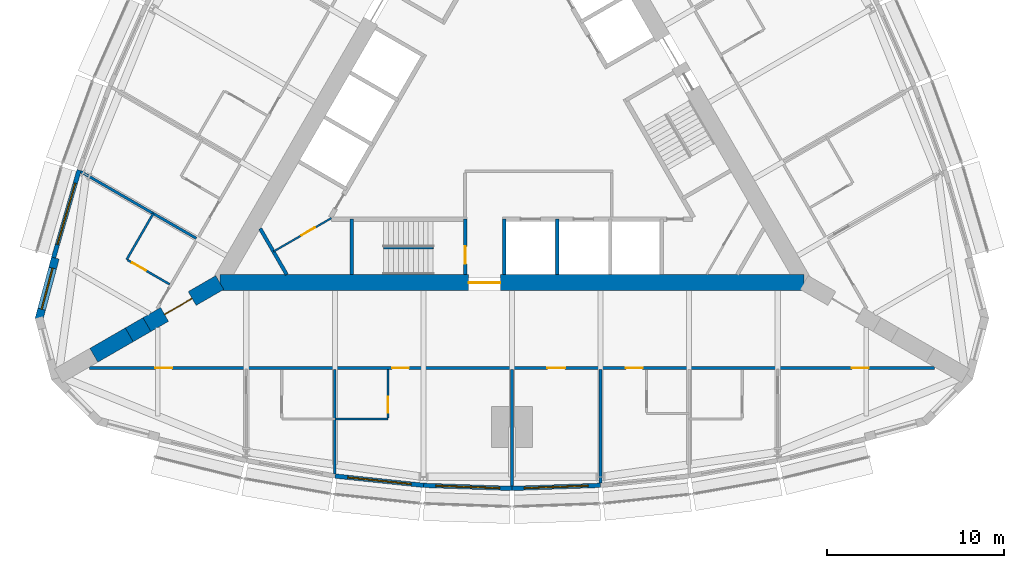
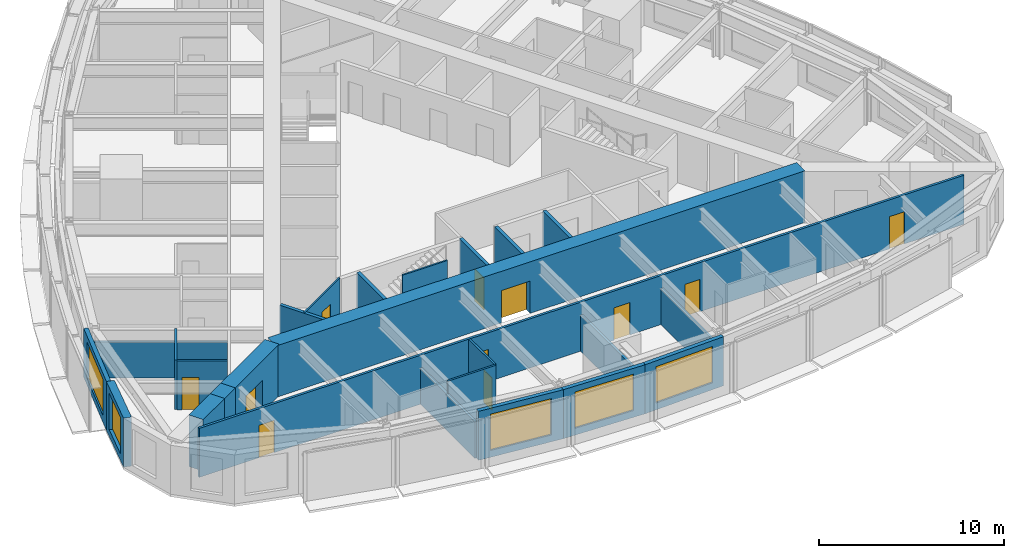
# One storey, part 8 of 14: 25 walls, 11 doors, 5 windows, 16 openings.
"""IFC4 building model written with IfcOpenShell, lengths in metres."""

from ifc_helpers import new_model, si_unit, direction, frame, frame_2d, origin, place, context, subcontext, project, spatial, rectangle, extrude, material, layer, layer_set, type_object, element, fill, save


model = new_model("IFC4")

# Units and contexts
model_context = context("Model", 3, precision=1e-05, world=origin(), true_north=direction((0.0, 1.0)))
body_context = subcontext(model_context, "Body", "Model", "MODEL_VIEW")
ifc_project = project(units=[si_unit("LENGTHUNIT", "METRE"), si_unit("AREAUNIT", "SQUARE_METRE"), si_unit("VOLUMEUNIT", "CUBIC_METRE"), si_unit("PLANEANGLEUNIT", "RADIAN"), si_unit("MASSUNIT", "GRAM", prefix="KILO")], contexts=[model_context])

# Site, building, storey
site_placement = place(None, origin())
site = spatial("IfcSite", under=ifc_project, at=site_placement, CompositionType="ELEMENT")
building_placement = place(site_placement, origin())
building = spatial("IfcBuilding", under=site, at=building_placement, Name="Trikona Tower", CompositionType="ELEMENT")
storey_placement = place(building_placement, frame((0.0, 0.0, 158.89990234375)))
storey = spatial("IfcBuildingStorey", under=building, at=storey_placement, Name="L42", CompositionType="ELEMENT", Elevation=158.89990234375)

# Wall
ifc_material_1 = material(Name="Metal stud and cement board", Category="gypsum")
ifc_layer_1 = layer(ifc_material_1, 0.1201171875)
ifc_layer_set_1 = layer_set([ifc_layer_1], Name="Bathroom wall 120")
wall_type_1 = type_object("IfcWallType", Name="Bathroom wall 120", PredefinedType="PLUMBINGWALL", material=ifc_layer_set_1)
wall_1_placement = place(storey_placement, frame((-10.0, -17.226318359375, 0.0), z_axis=(0.0, 0.0, 1.0), x_axis=(1.0, 0.0, 0.0)))
element("IfcWall", 1, at=wall_1_placement, inside=storey, type_object=wall_type_1, Name="Bathroom wall 4202", PredefinedType="PLUMBINGWALL", context=body_context, shape_type="SweptSolid", body=[
    extrude(rectangle(XDim=3.0, YDim=0.1201171875, at=frame_2d((1.5, 0.0))), origin(), (0.0, 0.0, 1.0), 3.235107421875),
])

# Wall, opening, door
wall_2_placement = place(storey_placement, frame((-7.0, -14.42626953125, 0.0), z_axis=(0.0, 0.0, 1.0), x_axis=(0.0, -1.0, 0.0)))
wall_2 = element("IfcWall", 2, at=wall_2_placement, inside=storey, type_object=wall_type_1, Name="Bathroom wall 4202", PredefinedType="PLUMBINGWALL", context=body_context, shape_type="SweptSolid", body=[
    extrude(rectangle(XDim=2.739990234375, YDim=0.1201171875, at=frame_2d((1.3701171875, 0.0))), origin(), (0.0, 0.0, 1.0), 3.235107421875),
])
opening_1_placement = place(wall_2_placement, frame((1.550048828125, 0.0, 0.0)))
opening_1 = element("IfcOpeningElement", 3, at=opening_1_placement, cuts=wall_2, Name="Opening D2", PredefinedType="OPENING", context=body_context, shape_type="SweptSolid", body=[
    extrude(rectangle(XDim=0.89990234375, YDim=2.1298828125, at=frame_2d((0.449951171875, 1.06494140625))), frame((0.0, 0.070068359375, 0.0), z_axis=(0.0, -1.0, 0.0), x_axis=(1.0, 0.0, 0.0)), (0.0, 0.0, 1.0), 0.14013671875),
])
ifc_material_2 = material(Name="Steel door frame with solid-core timber leaf", Category="steel")
door_type_1 = type_object("IfcDoorType", Name="Bathroom door 900x2130", OperationType="SLIDING_TO_LEFT", PredefinedType="DOOR", material=ifc_material_2)
door_1_placement = place(opening_1_placement, origin())
door_1 = element("IfcDoor", 4, at=door_1_placement, inside=storey, type_object=door_type_1, Name="Bathroom door 4202", OperationType="SLIDING_TO_LEFT", OverallHeight=2.1298828125, OverallWidth=0.89990234375, PredefinedType="DOOR", context=body_context, shape_type="SweptSolid", body=[
    extrude(rectangle(XDim=0.89990234375, YDim=2.1298828125, at=frame_2d((0.449951171875, 1.06494140625))), frame((0.0, 0.02490234375, 0.0), z_axis=(0.0, -1.0, 0.0), x_axis=(1.0, 0.0, 0.0)), (0.0, 0.0, 1.0), 0.050048828125),
])
fill(opening_1, door_1)

# Wall
wall_3_placement = place(storey_placement, frame((-20.25341796875, -5.627197265625, 0.0), z_axis=(0.0, 0.0, 1.0), x_axis=(-0.499990139034, -0.866031096941, 0.0)))
element("IfcWall", 5, at=wall_3_placement, inside=storey, type_object=wall_type_1, Name="Bathroom wall 4215", PredefinedType="PLUMBINGWALL", context=body_context, shape_type="SweptSolid", body=[
    extrude(rectangle(XDim=3.0, YDim=0.1201171875, at=frame_2d((1.5, 0.0))), origin(), (0.0, 0.0, 1.0), 3.235107421875),
])

# Wall, opening, door
wall_4_placement = place(storey_placement, frame((-19.32861328125, -9.625244140625, 0.0), z_axis=(0.0, 0.0, 1.0), x_axis=(-0.866035715982, 0.499982138324, 0.0)))
wall_4 = element("IfcWall", 6, at=wall_4_placement, inside=storey, type_object=wall_type_1, Name="Bathroom wall 4215", PredefinedType="PLUMBINGWALL", context=body_context, shape_type="SweptSolid", body=[
    extrude(rectangle(XDim=2.73974609375, YDim=0.1201171875, at=frame_2d((1.369873046875, 0.0))), origin(), (0.0, 0.0, 1.0), 3.235107421875),
])
opening_2_placement = place(wall_4_placement, frame((1.550048828125, 0.0, 0.0)))
opening_2 = element("IfcOpeningElement", 7, at=opening_2_placement, cuts=wall_4, Name="Opening D2", PredefinedType="OPENING", context=body_context, shape_type="SweptSolid", body=[
    extrude(rectangle(XDim=0.89990234375, YDim=2.1298828125, at=frame_2d((0.449951171875, 1.06494140625))), frame((0.0, 0.070068359375, 0.0), z_axis=(0.0, -1.0, 0.0), x_axis=(1.0, 0.0, 0.0)), (0.0, 0.0, 1.0), 0.14013671875),
])
door_2_placement = place(opening_2_placement, origin())
door_2 = element("IfcDoor", 8, at=door_2_placement, inside=storey, type_object=door_type_1, Name="Bathroom door 4215", OperationType="SLIDING_TO_LEFT", OverallHeight=2.1298828125, OverallWidth=0.89990234375, PredefinedType="DOOR", context=body_context, shape_type="SweptSolid", body=[
    extrude(rectangle(XDim=0.89990234375, YDim=2.1298828125, at=frame_2d((0.449951171875, 1.06494140625))), frame((0.0, 0.02490234375, 0.0), z_axis=(0.0, -1.0, 0.0), x_axis=(1.0, 0.0, 0.0)), (0.0, 0.0, 1.0), 0.050048828125),
])
fill(opening_2, door_2)

# Wall, opening, window
ifc_material_3 = material(Name="Brick-faced precast concrete", Category="masonry")
ifc_layer_2 = layer(ifc_material_3, 0.449951171875)
ifc_layer_set_2 = layer_set([ifc_layer_2], Name="Brick-faced corner wall 450")
wall_type_2 = type_object("IfcWallType", Name="Brick-faced corner wall 450", PredefinedType="SOLIDWALL", material=ifc_layer_set_2)
wall_5_placement = place(storey_placement, frame((-25.78271484375, -8.14111328125, 0.0), z_axis=(0.0, 0.0, 1.0), x_axis=(-0.258823421857, -0.965924653531, 0.0)))
wall_5 = element("IfcWall", 9, at=wall_5_placement, inside=storey, type_object=wall_type_2, Name="External wall L42-32", PredefinedType="SOLIDWALL", context=body_context, shape_type="SweptSolid", body=[
    extrude(rectangle(XDim=3.58642578125, YDim=0.449951171875, at=frame_2d((1.793212890625, 0.0))), origin(), (0.0, 0.0, 1.0), 3.235107421875),
])
opening_3_placement = place(wall_5_placement, frame((0.593017578125, 0.0, 0.449951171875)))
opening_3 = element("IfcOpeningElement", 10, at=opening_3_placement, cuts=wall_5, Name="Opening W2424", PredefinedType="OPENING", context=body_context, shape_type="SweptSolid", body=[
    extrude(rectangle(XDim=2.39990234375, YDim=2.39990234375, at=frame_2d((1.199951171875, 1.199951171875))), frame((0.0, 0.23486328125, 0.0), z_axis=(0.0, -1.0, 0.0), x_axis=(1.0, 0.0, 0.0)), (0.0, 0.0, 1.0), 0.469970703125),
])
ifc_material_4 = material(Name="Aluminium-framed double glazing", Category="aluminium")
window_type_1 = type_object("IfcWindowType", Name="Window 2400x2400", PartitioningType="SINGLE_PANEL", PredefinedType="WINDOW", material=ifc_material_4)
window_1_placement = place(opening_3_placement, origin())
window_1 = element("IfcWindow", 11, at=window_1_placement, inside=storey, type_object=window_type_1, Name="Window 4215", OverallHeight=2.39990234375, OverallWidth=2.39990234375, PartitioningType="SINGLE_PANEL", PredefinedType="WINDOW", context=body_context, shape_type="SweptSolid", body=[
    extrude(rectangle(XDim=2.39990234375, YDim=2.39990234375, at=frame_2d((1.199951171875, 1.199951171875))), frame((0.0, 0.030029296875, 0.0), z_axis=(0.0, -1.0, 0.0), x_axis=(1.0, 0.0, 0.0)), (0.0, 0.0, 1.0), 0.06005859375),
])
fill(opening_3, window_1)

# Wall, opening, door
ifc_material_5 = material(Name="Concrete f'c 10000 psi", Category="concrete")
ifc_layer_3 = layer(ifc_material_5, 0.89990234375)
ifc_layer_set_3 = layer_set([ifc_layer_3], Name="Buttress wall 900")
wall_type_3 = type_object("IfcWallType", Name="Buttress wall 900", PredefinedType="SHEAR", material=ifc_layer_set_3)
wall_6_placement = place(storey_placement, frame((-16.5, -9.5263671875, 0.0), z_axis=(0.0, 0.0, 1.0), x_axis=(-0.866031398331, -0.499989616998, 0.0)))
wall_6 = element("IfcWall", 12, at=wall_6_placement, inside=storey, type_object=wall_type_3, Name="Buttress wall 3", PredefinedType="SHEAR", context=body_context, shape_type="SweptSolid", body=[
    extrude(rectangle(XDim=4.74609375, YDim=0.89990234375, at=frame_2d((2.373046875, 0.0))), origin(), (0.0, 0.0, 1.0), 3.400146484375),
])
opening_4_placement = place(wall_6_placement, frame((1.800048828125, 0.0, 0.0)))
opening_4 = element("IfcOpeningElement", 13, at=opening_4_placement, cuts=wall_6, Name="Opening D10", PredefinedType="OPENING", context=body_context, shape_type="SweptSolid", body=[
    extrude(rectangle(XDim=1.800048828125, YDim=2.1298828125, at=frame_2d((0.89990234375, 1.06494140625))), frame((0.0, 0.4599609375, 0.0), z_axis=(0.0, -1.0, 0.0), x_axis=(1.0, 0.0, 0.0)), (0.0, 0.0, 1.0), 0.919921875),
])
ifc_material_6 = material(Name="Hollow metal door and frame", Category="steel")
door_type_2 = type_object("IfcDoorType", Name="Cross-corridor door pair 1800x2130", OperationType="DOUBLE_DOOR_DOUBLE_SWING", PredefinedType="DOOR", material=ifc_material_6)
door_3_placement = place(opening_4_placement, origin())
door_3 = element("IfcDoor", 14, at=door_3_placement, inside=storey, type_object=door_type_2, Name="Cross-corridor door 3", OperationType="DOUBLE_DOOR_DOUBLE_SWING", OverallHeight=2.1298828125, OverallWidth=1.800048828125, PredefinedType="DOOR", context=body_context, shape_type="SweptSolid", body=[
    extrude(rectangle(XDim=1.800048828125, YDim=2.1298828125, at=frame_2d((0.89990234375, 1.06494140625))), frame((0.0, 0.02490234375, 0.0), z_axis=(0.0, -1.0, 0.0), x_axis=(1.0, 0.0, 0.0)), (0.0, 0.0, 1.0), 0.050048828125),
])
fill(opening_4, door_3)

# Walls
wall_7_placement = place(storey_placement, frame((-20.6103515625, -11.8994140625, 0.0), z_axis=(0.0, 0.0, 1.0), x_axis=(-0.866009537788, -0.500027479704, 0.0)))
element("IfcWall", 15, at=wall_7_placement, inside=storey, type_object=wall_type_3, Name="Buttress wall 3 part 2", PredefinedType="SHEAR", context=body_context, shape_type="SweptSolid", body=[
    extrude(rectangle(XDim=1.15478515625, YDim=0.89990234375, at=frame_2d((0.577392578125, 0.0))), origin(), (0.0, 0.0, 1.0), 3.400146484375),
])
wall_8_placement = place(storey_placement, frame((-21.6103515625, -12.476806640625, 0.0), z_axis=(0.0, 0.0, 1.0), x_axis=(-0.866055313784, -0.499948190782, 0.0)))
element("IfcWall", 16, at=wall_8_placement, inside=storey, type_object=wall_type_3, Name="Buttress wall 3 part 3", PredefinedType="SHEAR", context=body_context, shape_type="SweptSolid", body=[
    extrude(rectangle(XDim=2.309326171875, YDim=0.89990234375, at=frame_2d((1.15478515625, 0.0))), origin(), (0.0, 0.0, 1.0), 3.400146484375),
])

# Wall, opening, door
ifc_material_7 = material(Name="Concrete f'c 10000 psi", Category="concrete")
ifc_layer_4 = layer(ifc_material_7, 0.89990234375)
ifc_layer_set_4 = layer_set([ifc_layer_4], Name="Core wall 900")
wall_type_4 = type_object("IfcWallType", Name="Core wall 900", PredefinedType="SHEAR", material=ifc_layer_set_4)
wall_9_placement = place(storey_placement, frame((-16.5, -9.5263671875, 0.0), z_axis=(0.0, 0.0, 1.0), x_axis=(1.0, 0.0, 0.0)))
wall_9 = element("IfcWall", 17, at=wall_9_placement, inside=storey, type_object=wall_type_4, Name="Core wall A", PredefinedType="SHEAR", context=body_context, shape_type="SweptSolid", body=[
    extrude(rectangle(XDim=33.0, YDim=0.89990234375, at=frame_2d((16.5, 0.0))), origin(), (0.0, 0.0, 1.0), 3.400146484375),
])
opening_5_placement = place(wall_9_placement, frame((14.050048828125, 0.0, 0.0)))
opening_5 = element("IfcOpeningElement", 18, at=opening_5_placement, cuts=wall_9, Name="Opening D6", PredefinedType="OPENING", context=body_context, shape_type="SweptSolid", body=[
    extrude(rectangle(XDim=1.800048828125, YDim=2.1298828125, at=frame_2d((0.89990234375, 1.06494140625))), frame((0.0, 0.4599609375, 0.0), z_axis=(0.0, -1.0, 0.0), x_axis=(1.0, 0.0, 0.0)), (0.0, 0.0, 1.0), 0.919921875),
])
ifc_material_8 = material(Name="Hollow metal door and frame", Category="steel")
door_type_3 = type_object("IfcDoorType", Name="Lobby door pair 1800x2130", OperationType="DOUBLE_DOOR_SINGLE_SWING", PredefinedType="DOOR", material=ifc_material_8)
door_4_placement = place(opening_5_placement, origin())
door_4 = element("IfcDoor", 19, at=door_4_placement, inside=storey, type_object=door_type_3, Name="Fire service lift lobby door", OperationType="DOUBLE_DOOR_SINGLE_SWING", OverallHeight=2.1298828125, OverallWidth=1.800048828125, PredefinedType="DOOR", context=body_context, shape_type="SweptSolid", body=[
    extrude(rectangle(XDim=1.800048828125, YDim=2.1298828125, at=frame_2d((0.89990234375, 1.06494140625))), frame((0.0, 0.02490234375, 0.0), z_axis=(0.0, -1.0, 0.0), x_axis=(1.0, 0.0, 0.0)), (0.0, 0.0, 1.0), 0.050048828125),
])
fill(opening_5, door_4)

# Wall, openings, doors
ifc_material_9 = material(Name="Metal stud and gypsum board, 1-hour", Category="gypsum")
ifc_layer_5 = layer(ifc_material_9, 0.14990234375)
ifc_layer_set_5 = layer_set([ifc_layer_5], Name="Corridor wall 150")
wall_type_5 = type_object("IfcWallType", Name="Corridor wall 150", PredefinedType="PARTITIONING", material=ifc_layer_set_5)
wall_10_placement = place(storey_placement, frame((-23.857177734375, -14.351318359375, 0.0), z_axis=(0.0, 0.0, 1.0), x_axis=(1.0, 0.0, 0.0)))
wall_10 = element("IfcWall", 20, at=wall_10_placement, inside=storey, type_object=wall_type_5, Name="Corridor wall L42-1", PredefinedType="PARTITIONING", context=body_context, shape_type="SweptSolid", body=[
    extrude(rectangle(XDim=47.71435546875, YDim=0.14990234375, at=frame_2d((23.857177734375, 0.0))), origin(), (0.0, 0.0, 1.0), 3.235107421875),
])
opening_6_placement = place(wall_10_placement, frame((3.723388671875, 0.0, 0.0)))
opening_6 = element("IfcOpeningElement", 21, at=opening_6_placement, cuts=wall_10, Name="Opening D1", PredefinedType="OPENING", context=body_context, shape_type="SweptSolid", body=[
    extrude(rectangle(XDim=0.949951171875, YDim=2.1298828125, at=frame_2d((0.47509765625, 1.06494140625))), frame((0.0, 0.0849609375, 0.0), z_axis=(0.0, -1.0, 0.0), x_axis=(1.0, 0.0, 0.0)), (0.0, 0.0, 1.0), 0.169921875),
])
opening_7_placement = place(wall_10_placement, frame((17.08203125, 0.0, 0.0)))
opening_7 = element("IfcOpeningElement", 22, at=opening_7_placement, cuts=wall_10, Name="Opening D1", PredefinedType="OPENING", context=body_context, shape_type="SweptSolid", body=[
    extrude(rectangle(XDim=0.949951171875, YDim=2.1298828125, at=frame_2d((0.47509765625, 1.06494140625))), frame((0.0, 0.0849609375, 0.0), z_axis=(0.0, -1.0, 0.0), x_axis=(1.0, 0.0, 0.0)), (0.0, 0.0, 1.0), 0.169921875),
])
opening_8_placement = place(wall_10_placement, frame((25.857177734375, 0.0, 0.0)))
opening_8 = element("IfcOpeningElement", 23, at=opening_8_placement, cuts=wall_10, Name="Opening D3", PredefinedType="OPENING", context=body_context, shape_type="SweptSolid", body=[
    extrude(rectangle(XDim=1.0, YDim=2.1298828125, at=frame_2d((0.5, 1.06494140625))), frame((0.0, 0.0849609375, 0.0), z_axis=(0.0, -1.0, 0.0), x_axis=(1.0, 0.0, 0.0)), (0.0, 0.0, 1.0), 0.169921875),
])
opening_9_placement = place(wall_10_placement, frame((30.281982421875, 0.0, 0.0)))
opening_9 = element("IfcOpeningElement", 24, at=opening_9_placement, cuts=wall_10, Name="Opening D1", PredefinedType="OPENING", context=body_context, shape_type="SweptSolid", body=[
    extrude(rectangle(XDim=0.949951171875, YDim=2.1298828125, at=frame_2d((0.47509765625, 1.06494140625))), frame((0.0, 0.0849609375, 0.0), z_axis=(0.0, -1.0, 0.0), x_axis=(1.0, 0.0, 0.0)), (0.0, 0.0, 1.0), 0.169921875),
])
opening_10_placement = place(wall_10_placement, frame((43.041015625, 0.0, 0.0)))
opening_10 = element("IfcOpeningElement", 25, at=opening_10_placement, cuts=wall_10, Name="Opening D1", PredefinedType="OPENING", context=body_context, shape_type="SweptSolid", body=[
    extrude(rectangle(XDim=0.949951171875, YDim=2.1298828125, at=frame_2d((0.47509765625, 1.06494140625))), frame((0.0, 0.0849609375, 0.0), z_axis=(0.0, -1.0, 0.0), x_axis=(1.0, 0.0, 0.0)), (0.0, 0.0, 1.0), 0.169921875),
])
ifc_material_10 = material(Name="Steel door frame with solid-core timber leaf", Category="steel")
door_type_4 = type_object("IfcDoorType", Name="Guest room door 950x2130", OperationType="SINGLE_SWING_LEFT", PredefinedType="DOOR", material=ifc_material_10)
door_5_placement = place(opening_6_placement, origin())
door_5 = element("IfcDoor", 26, at=door_5_placement, inside=storey, type_object=door_type_4, Name="Room door 4201", OperationType="SINGLE_SWING_LEFT", OverallHeight=2.1298828125, OverallWidth=0.949951171875, PredefinedType="DOOR", context=body_context, shape_type="SweptSolid", body=[
    extrude(rectangle(XDim=0.949951171875, YDim=2.1298828125, at=frame_2d((0.47509765625, 1.06494140625))), frame((0.0, 0.02490234375, 0.0), z_axis=(0.0, -1.0, 0.0), x_axis=(1.0, 0.0, 0.0)), (0.0, 0.0, 1.0), 0.050048828125),
])
fill(opening_6, door_5)
door_6_placement = place(opening_7_placement, origin())
door_6 = element("IfcDoor", 27, at=door_6_placement, inside=storey, type_object=door_type_4, Name="Room door 4202", OperationType="SINGLE_SWING_RIGHT", OverallHeight=2.1298828125, OverallWidth=0.949951171875, PredefinedType="DOOR", context=body_context, shape_type="SweptSolid", body=[
    extrude(rectangle(XDim=0.949951171875, YDim=2.1298828125, at=frame_2d((0.47509765625, 1.06494140625))), frame((0.0, 0.02490234375, 0.0), z_axis=(0.0, -1.0, 0.0), x_axis=(1.0, 0.0, 0.0)), (0.0, 0.0, 1.0), 0.050048828125),
])
fill(opening_7, door_6)
door_7_placement = place(opening_9_placement, origin())
door_7 = element("IfcDoor", 28, at=door_7_placement, inside=storey, type_object=door_type_4, Name="Room door 4203", OperationType="SINGLE_SWING_RIGHT", OverallHeight=2.1298828125, OverallWidth=0.949951171875, PredefinedType="DOOR", context=body_context, shape_type="SweptSolid", body=[
    extrude(rectangle(XDim=0.949951171875, YDim=2.1298828125, at=frame_2d((0.47509765625, 1.06494140625))), frame((0.0, 0.02490234375, 0.0), z_axis=(0.0, -1.0, 0.0), x_axis=(1.0, 0.0, 0.0)), (0.0, 0.0, 1.0), 0.050048828125),
])
fill(opening_9, door_7)
door_8_placement = place(opening_10_placement, origin())
door_8 = element("IfcDoor", 29, at=door_8_placement, inside=storey, type_object=door_type_4, Name="Room door 4204", OperationType="SINGLE_SWING_RIGHT", OverallHeight=2.1298828125, OverallWidth=0.949951171875, PredefinedType="DOOR", context=body_context, shape_type="SweptSolid", body=[
    extrude(rectangle(XDim=0.949951171875, YDim=2.1298828125, at=frame_2d((0.47509765625, 1.06494140625))), frame((0.0, 0.02490234375, 0.0), z_axis=(0.0, -1.0, 0.0), x_axis=(1.0, 0.0, 0.0)), (0.0, 0.0, 1.0), 0.050048828125),
])
fill(opening_10, door_8)
ifc_material_11 = material(Name="Steel door frame with solid-core timber leaf", Category="steel")
door_type_5 = type_object("IfcDoorType", Name="Room door 1000x2130", OperationType="SINGLE_SWING_LEFT", PredefinedType="DOOR", material=ifc_material_11)
door_9_placement = place(opening_8_placement, origin())
door_9 = element("IfcDoor", 30, at=door_9_placement, inside=storey, type_object=door_type_5, Name="Door Housekeeping pantry", OperationType="SINGLE_SWING_LEFT", OverallHeight=2.1298828125, OverallWidth=1.0, PredefinedType="DOOR", context=body_context, shape_type="SweptSolid", body=[
    extrude(rectangle(XDim=1.0, YDim=2.1298828125, at=frame_2d((0.5, 1.06494140625))), frame((0.0, 0.02490234375, 0.0), z_axis=(0.0, -1.0, 0.0), x_axis=(1.0, 0.0, 0.0)), (0.0, 0.0, 1.0), 0.050048828125),
])
fill(opening_8, door_9)

# Wall, opening, window
ifc_material_12 = material(Name="Insulated precast concrete spandrel panel", Category="concrete")
ifc_layer_6 = layer(ifc_material_12, 0.25)
ifc_layer_set_6 = layer_set([ifc_layer_6], Name="Inner skin wall 250")
wall_type_6 = type_object("IfcWallType", Name="Inner skin wall 250", PredefinedType="STANDARD", material=ifc_layer_set_6)
wall_11_placement = place(storey_placement, frame((-9.98681640625, -20.450927734375, 0.0), z_axis=(0.0, 0.0, 1.0), x_axis=(0.994534683851, -0.104406717299, 0.0)))
wall_11 = element("IfcWall", 31, at=wall_11_placement, inside=storey, type_object=wall_type_6, Name="External wall L42-02", PredefinedType="STANDARD", context=body_context, shape_type="SweptSolid", body=[
    extrude(rectangle(XDim=5.027587890625, YDim=0.25, at=frame_2d((2.513671875, 0.0))), origin(), (0.0, 0.0, 1.0), 3.235107421875),
])
opening_11_placement = place(wall_11_placement, frame((0.713623046875, 0.0, 0.449951171875)))
opening_11 = element("IfcOpeningElement", 32, at=opening_11_placement, cuts=wall_11, Name="Opening W3624", PredefinedType="OPENING", context=body_context, shape_type="SweptSolid", body=[
    extrude(rectangle(XDim=3.60009765625, YDim=2.39990234375, at=frame_2d((1.800048828125, 1.199951171875))), frame((0.0, 0.135009765625, 0.0), z_axis=(0.0, -1.0, 0.0), x_axis=(1.0, 0.0, 0.0)), (0.0, 0.0, 1.0), 0.27001953125),
])
ifc_material_13 = material(Name="Aluminium-framed double glazing", Category="aluminium")
window_type_2 = type_object("IfcWindowType", Name="Window 3600x2400", PartitioningType="SINGLE_PANEL", PredefinedType="WINDOW", material=ifc_material_13)
window_2_placement = place(opening_11_placement, origin())
window_2 = element("IfcWindow", 33, at=window_2_placement, inside=storey, type_object=window_type_2, Name="Window 4202", OverallHeight=2.39990234375, OverallWidth=3.60009765625, PartitioningType="SINGLE_PANEL", PredefinedType="WINDOW", context=body_context, shape_type="SweptSolid", body=[
    extrude(rectangle(XDim=3.60009765625, YDim=2.39990234375, at=frame_2d((1.800048828125, 1.199951171875))), frame((0.0, 0.030029296875, 0.0), z_axis=(0.0, -1.0, 0.0), x_axis=(1.0, 0.0, 0.0)), (0.0, 0.0, 1.0), 0.06005859375),
])
fill(opening_11, window_2)

wall_12_placement = place(storey_placement, frame((-4.99560546875, -20.975341796875, 0.0), z_axis=(0.0, 0.0, 1.0), x_axis=(0.999387720943, -0.034988329879, 0.0)))
wall_12 = element("IfcWall", 34, at=wall_12_placement, inside=storey, type_object=wall_type_6, Name="External wall L42-03", PredefinedType="STANDARD", context=body_context, shape_type="SweptSolid", body=[
    extrude(rectangle(XDim=5.003173828125, YDim=0.25, at=frame_2d((2.50146484375, 0.0))), origin(), (0.0, 0.0, 1.0), 3.235107421875),
])
opening_12_placement = place(wall_12_placement, frame((0.701416015625, 0.0, 0.449951171875)))
opening_12 = element("IfcOpeningElement", 35, at=opening_12_placement, cuts=wall_12, Name="Opening W3624", PredefinedType="OPENING", context=body_context, shape_type="SweptSolid", body=[
    extrude(rectangle(XDim=3.60009765625, YDim=2.39990234375, at=frame_2d((1.800048828125, 1.199951171875))), frame((0.0, 0.135009765625, 0.0), z_axis=(0.0, -1.0, 0.0), x_axis=(1.0, 0.0, 0.0)), (0.0, 0.0, 1.0), 0.27001953125),
])
window_3_placement = place(opening_12_placement, origin())
window_3 = element("IfcWindow", 36, at=window_3_placement, inside=storey, type_object=window_type_2, Name="Window 4202", OverallHeight=2.39990234375, OverallWidth=3.60009765625, PartitioningType="SINGLE_PANEL", PredefinedType="WINDOW", context=body_context, shape_type="SweptSolid", body=[
    extrude(rectangle(XDim=3.60009765625, YDim=2.39990234375, at=frame_2d((1.800048828125, 1.199951171875))), frame((0.0, 0.030029296875, 0.0), z_axis=(0.0, -1.0, 0.0), x_axis=(1.0, 0.0, 0.0)), (0.0, 0.0, 1.0), 0.06005859375),
])
fill(opening_12, window_3)

wall_13_placement = place(storey_placement, frame((-0.00439453125, -21.150390625, 0.0), z_axis=(0.0, 0.0, 1.0), x_axis=(0.999387720943, 0.034988329879, 0.0)))
wall_13 = element("IfcWall", 37, at=wall_13_placement, inside=storey, type_object=wall_type_6, Name="External wall L42-04", PredefinedType="STANDARD", context=body_context, shape_type="SweptSolid", body=[
    extrude(rectangle(XDim=5.003173828125, YDim=0.25, at=frame_2d((2.50146484375, 0.0))), origin(), (0.0, 0.0, 1.0), 3.235107421875),
])
opening_13_placement = place(wall_13_placement, frame((0.701416015625, 0.0, 0.449951171875)))
opening_13 = element("IfcOpeningElement", 38, at=opening_13_placement, cuts=wall_13, Name="Opening W3624", PredefinedType="OPENING", context=body_context, shape_type="SweptSolid", body=[
    extrude(rectangle(XDim=3.60009765625, YDim=2.39990234375, at=frame_2d((1.800048828125, 1.199951171875))), frame((0.0, 0.135009765625, 0.0), z_axis=(0.0, -1.0, 0.0), x_axis=(1.0, 0.0, 0.0)), (0.0, 0.0, 1.0), 0.27001953125),
])
window_4_placement = place(opening_13_placement, origin())
window_4 = element("IfcWindow", 39, at=window_4_placement, inside=storey, type_object=window_type_2, Name="Window L42-HKP", OverallHeight=2.39990234375, OverallWidth=3.60009765625, PartitioningType="SINGLE_PANEL", PredefinedType="WINDOW", context=body_context, shape_type="SweptSolid", body=[
    extrude(rectangle(XDim=3.60009765625, YDim=2.39990234375, at=frame_2d((1.800048828125, 1.199951171875))), frame((0.0, 0.030029296875, 0.0), z_axis=(0.0, -1.0, 0.0), x_axis=(1.0, 0.0, 0.0)), (0.0, 0.0, 1.0), 0.06005859375),
])
fill(opening_13, window_4)

wall_14_placement = place(storey_placement, frame((-24.44091796875, -3.17529296875, 0.0), z_axis=(0.0, 0.0, 1.0), x_axis=(-0.279528287117, -0.960137457191, 0.0)))
wall_14 = element("IfcWall", 40, at=wall_14_placement, inside=storey, type_object=wall_type_6, Name="External wall L42-31", PredefinedType="STANDARD", context=body_context, shape_type="SweptSolid", body=[
    extrude(rectangle(XDim=5.14794921875, YDim=0.25, at=frame_2d((2.573974609375, 0.0))), origin(), (0.0, 0.0, 1.0), 3.235107421875),
])
opening_14_placement = place(wall_14_placement, frame((0.77392578125, 0.0, 0.449951171875)))
opening_14 = element("IfcOpeningElement", 41, at=opening_14_placement, cuts=wall_14, Name="Opening W3624", PredefinedType="OPENING", context=body_context, shape_type="SweptSolid", body=[
    extrude(rectangle(XDim=3.60009765625, YDim=2.39990234375, at=frame_2d((1.800048828125, 1.199951171875))), frame((0.0, 0.135009765625, 0.0), z_axis=(0.0, -1.0, 0.0), x_axis=(1.0, 0.0, 0.0)), (0.0, 0.0, 1.0), 0.27001953125),
])
window_5_placement = place(opening_14_placement, origin())
window_5 = element("IfcWindow", 42, at=window_5_placement, inside=storey, type_object=window_type_2, Name="Window 4215", OverallHeight=2.39990234375, OverallWidth=3.60009765625, PartitioningType="SINGLE_PANEL", PredefinedType="WINDOW", context=body_context, shape_type="SweptSolid", body=[
    extrude(rectangle(XDim=3.60009765625, YDim=2.39990234375, at=frame_2d((1.800048828125, 1.199951171875))), frame((0.0, 0.030029296875, 0.0), z_axis=(0.0, -1.0, 0.0), x_axis=(1.0, 0.0, 0.0)), (0.0, 0.0, 1.0), 0.06005859375),
])
fill(opening_14, window_5)

# Walls
ifc_material_14 = material(Name="Metal stud and gypsum board, 1-hour acoustic", Category="gypsum")
ifc_layer_7 = layer(ifc_material_14, 0.14990234375)
ifc_layer_set_7 = layer_set([ifc_layer_7], Name="Party wall 150")
wall_type_7 = type_object("IfcWallType", Name="Party wall 150", PredefinedType="PARTITIONING", material=ifc_layer_set_7)
wall_15_placement = place(storey_placement, frame((-10.0, -14.42626953125, 0.0), z_axis=(0.0, 0.0, 1.0), x_axis=(0.0, -1.0, 0.0)))
element("IfcWall", 43, at=wall_15_placement, inside=storey, type_object=wall_type_7, Name="Partition L42 F1 u-10", PredefinedType="PARTITIONING", context=body_context, shape_type="SweptSolid", body=[
    extrude(rectangle(XDim=5.89501953125, YDim=0.14990234375, at=frame_2d((2.947509765625, 0.0))), origin(), (0.0, 0.0, 1.0), 2.389404296875),
])
wall_16_placement = place(storey_placement, frame((0.0, -14.42626953125, 0.0), z_axis=(0.0, 0.0, 1.0), x_axis=(0.0, -1.0, 0.0)))
element("IfcWall", 44, at=wall_16_placement, inside=storey, type_object=wall_type_7, Name="Partition L42 F1 u-9.86076e-31", PredefinedType="PARTITIONING", context=body_context, shape_type="SweptSolid", body=[
    extrude(rectangle(XDim=6.5986328125, YDim=0.14990234375, at=frame_2d((3.29931640625, 0.0))), origin(), (0.0, 0.0, 1.0), 2.389404296875),
])
wall_17_placement = place(storey_placement, frame((5.0, -14.42626953125, 0.0), z_axis=(0.0, 0.0, 1.0), x_axis=(0.0, -1.0, 0.0)))
element("IfcWall", 45, at=wall_17_placement, inside=storey, type_object=wall_type_7, Name="Partition L42 F1 u5", PredefinedType="PARTITIONING", context=body_context, shape_type="SweptSolid", body=[
    extrude(rectangle(XDim=6.422607421875, YDim=0.14990234375, at=frame_2d((3.21142578125, 0.0))), origin(), (0.0, 0.0, 1.0), 2.389404296875),
])
wall_18_placement = place(storey_placement, frame((-17.82861328125, -7.027099609375, 0.0), z_axis=(0.0, 0.0, 1.0), x_axis=(-0.866029804378, 0.499992377871, 0.0)))
element("IfcWall", 46, at=wall_18_placement, inside=storey, type_object=wall_type_7, Name="Partition L42 F3 u15", PredefinedType="PARTITIONING", context=body_context, shape_type="SweptSolid", body=[
    extrude(rectangle(XDim=7.51611328125, YDim=0.14990234375, at=frame_2d((3.758056640625, 0.0))), origin(), (0.0, 0.0, 1.0), 2.389404296875),
])
ifc_material_15 = material(Name="Concrete f'c 8000 psi", Category="concrete")
ifc_layer_8 = layer(ifc_material_15, 0.199951171875)
ifc_layer_set_8 = layer_set([ifc_layer_8], Name="Shaft wall 200")
wall_type_8 = type_object("IfcWallType", Name="Shaft wall 200", PredefinedType="SOLIDWALL", material=ifc_layer_set_8)
for number, where, z_axis, x_axis, name in (
    (47, (-0.449951171875, -5.951416015625, 0.0), (0.0, 0.0, 1.0), (0.0, -1.0, 0.0), "Shaft wall A3"),
    (48, (2.550048828125, -5.951416015625, 0.0), (0.0, 0.0, 1.0), (0.0, -1.0, 0.0), "Shaft wall A4"),
):
    element("IfcWall", number, at=place(storey_placement, frame(where, z_axis=z_axis, x_axis=x_axis)), inside=storey, type_object=wall_type_8, Name=name, PredefinedType="SOLIDWALL", context=body_context, shape_type="SweptSolid", body=[
        extrude(rectangle(XDim=3.125, YDim=0.199951171875, at=frame_2d((1.5625, 0.0))), origin(), (0.0, 0.0, 1.0), 3.235107421875),
    ])
wall_19_placement = place(storey_placement, frame((-12.718505859375, -9.076416015625, 0.0), z_axis=(0.0, 0.0, 1.0), x_axis=(-0.499952404951, 0.866052881055, 0.0)))
element("IfcWall", 49, at=wall_19_placement, inside=storey, type_object=wall_type_8, Name="Riser wall L42-RS3", PredefinedType="SOLIDWALL", context=body_context, shape_type="SweptSolid", body=[
    extrude(rectangle(XDim=3.002197265625, YDim=0.199951171875, at=frame_2d((1.5009765625, 0.0))), origin(), (0.0, 0.0, 1.0), 3.235107421875),
])
ifc_material_16 = material(Name="Concrete f'c 8000 psi", Category="concrete")
ifc_layer_9 = layer(ifc_material_16, 0.199951171875)
ifc_layer_set_9 = layer_set([ifc_layer_9], Name="Shaft wall 200 load-bearing")
wall_type_9 = type_object("IfcWallType", Name="Shaft wall 200 load-bearing", PredefinedType="SOLIDWALL", material=ifc_layer_set_9)
wall_20_placement = place(storey_placement, frame((-9.050048828125, -5.951416015625, 0.0), z_axis=(0.0, 0.0, 1.0), x_axis=(0.0, -1.0, 0.0)))
element("IfcWall", 50, at=wall_20_placement, inside=storey, type_object=wall_type_9, Name="Shaft wall A1", PredefinedType="SOLIDWALL", context=body_context, shape_type="SweptSolid", body=[
    extrude(rectangle(XDim=3.125, YDim=0.199951171875, at=frame_2d((1.5625, 0.0))), origin(), (0.0, 0.0, 1.0), 3.235107421875),
])

# Wall, opening, door
wall_21_placement = place(storey_placement, frame((-2.64990234375, -5.951416015625, 0.0), z_axis=(0.0, 0.0, 1.0), x_axis=(0.0, -1.0, 0.0)))
wall_21 = element("IfcWall", 51, at=wall_21_placement, inside=storey, type_object=wall_type_9, Name="Shaft wall A2", PredefinedType="SOLIDWALL", context=body_context, shape_type="SweptSolid", body=[
    extrude(rectangle(XDim=3.125, YDim=0.199951171875, at=frame_2d((1.5625, 0.0))), origin(), (0.0, 0.0, 1.0), 3.235107421875),
])
opening_15_placement = place(wall_21_placement, frame((1.52490234375, 0.0, 0.0)))
opening_15 = element("IfcOpeningElement", 52, at=opening_15_placement, cuts=wall_21, Name="Opening D5", PredefinedType="OPENING", context=body_context, shape_type="SweptSolid", body=[
    extrude(rectangle(XDim=1.0, YDim=2.1298828125, at=frame_2d((0.5, 1.06494140625))), frame((0.0, 0.10986328125, 0.0), z_axis=(0.0, -1.0, 0.0), x_axis=(1.0, 0.0, 0.0)), (0.0, 0.0, 1.0), 0.219970703125),
])
ifc_material_17 = material(Name="Hollow metal door and frame", Category="steel")
door_type_6 = type_object("IfcDoorType", Name="Stair door 1000x2130", OperationType="SINGLE_SWING_LEFT", PredefinedType="DOOR", material=ifc_material_17)
door_10_placement = place(opening_15_placement, origin())
door_10 = element("IfcDoor", 53, at=door_10_placement, inside=storey, type_object=door_type_6, Name="Stair A door", OperationType="SINGLE_SWING_RIGHT", OverallHeight=2.1298828125, OverallWidth=1.0, PredefinedType="DOOR", context=body_context, shape_type="SweptSolid", body=[
    extrude(rectangle(XDim=1.0, YDim=2.1298828125, at=frame_2d((0.5, 1.06494140625))), frame((0.0, 0.02490234375, 0.0), z_axis=(0.0, -1.0, 0.0), x_axis=(1.0, 0.0, 0.0)), (0.0, 0.0, 1.0), 0.050048828125),
])
fill(opening_15, door_10)

# Wall
ifc_material_18 = material(Name="Concrete f'c 5000 psi", Category="concrete")
ifc_layer_10 = layer(ifc_material_18, 0.10009765625)
ifc_layer_set_10 = layer_set([ifc_layer_10], Name="Stair spine wall 100")
wall_type_10 = type_object("IfcWallType", Name="Stair spine wall 100", PredefinedType="SOLIDWALL", material=ifc_layer_set_10)
wall_22_placement = place(storey_placement, frame((-7.2470703125, -7.576416015625, 0.0), z_axis=(0.0, 0.0, 1.0), x_axis=(1.0, 0.0, 0.0)))
element("IfcWall", 54, at=wall_22_placement, inside=storey, type_object=wall_type_10, Name="Stair A spine wall L42", PredefinedType="SOLIDWALL", context=body_context, shape_type="SweptSolid", body=[
    extrude(rectangle(XDim=2.794189453125, YDim=0.10009765625, at=frame_2d((1.39697265625, 0.0))), origin(), (0.0, 0.0, 1.0), 3.400146484375),
])

# Wall, opening, door
ifc_material_19 = material(Name="Metal stud and gypsum board, acoustic", Category="gypsum")
ifc_layer_11 = layer(ifc_material_19, 0.10009765625)
ifc_layer_set_11 = layer_set([ifc_layer_11], Name="Suite partition 100")
wall_type_11 = type_object("IfcWallType", Name="Suite partition 100", PredefinedType="PARTITIONING", material=ifc_layer_set_11)
wall_23_placement = place(storey_placement, frame((-13.468994140625, -7.7763671875, 0.0), z_axis=(0.0, 0.0, 1.0), x_axis=(0.866021898093, 0.500006071987, 0.0)))
wall_23 = element("IfcWall", 55, at=wall_23_placement, inside=storey, type_object=wall_type_11, Name="Store partition L42-RS3", PredefinedType="PARTITIONING", context=body_context, shape_type="SweptSolid", body=[
    extrude(rectangle(XDim=3.775390625, YDim=0.10009765625, at=frame_2d((1.8876953125, 0.0))), origin(), (0.0, 0.0, 1.0), 3.235107421875),
])
opening_16_placement = place(wall_23_placement, frame((1.815185546875, 0.0, 0.0)))
opening_16 = element("IfcOpeningElement", 56, at=opening_16_placement, cuts=wall_23, Name="Opening D15", PredefinedType="OPENING", context=body_context, shape_type="SweptSolid", body=[
    extrude(rectangle(XDim=0.89990234375, YDim=2.1298828125, at=frame_2d((0.449951171875, 1.06494140625))), frame((0.0, 0.06005859375, 0.0), z_axis=(0.0, -1.0, 0.0), x_axis=(1.0, 0.0, 0.0)), (0.0, 0.0, 1.0), 0.1201171875),
])
ifc_material_20 = material(Name="Steel door frame with solid-core timber leaf", Category="steel")
door_type_7 = type_object("IfcDoorType", Name="Store door 900x2130", OperationType="SINGLE_SWING_LEFT", PredefinedType="DOOR", material=ifc_material_20)
door_11_placement = place(opening_16_placement, origin())
door_11 = element("IfcDoor", 57, at=door_11_placement, inside=storey, type_object=door_type_7, Name="Door Luggage store LUG", OperationType="SINGLE_SWING_RIGHT", OverallHeight=2.1298828125, OverallWidth=0.89990234375, PredefinedType="DOOR", context=body_context, shape_type="SweptSolid", body=[
    extrude(rectangle(XDim=0.89990234375, YDim=2.1298828125, at=frame_2d((0.449951171875, 1.06494140625))), frame((0.0, 0.02490234375, 0.0), z_axis=(0.0, -1.0, 0.0), x_axis=(1.0, 0.0, 0.0)), (0.0, 0.0, 1.0), 0.050048828125),
])
fill(opening_16, door_11)

save(model, "model.ifc")
